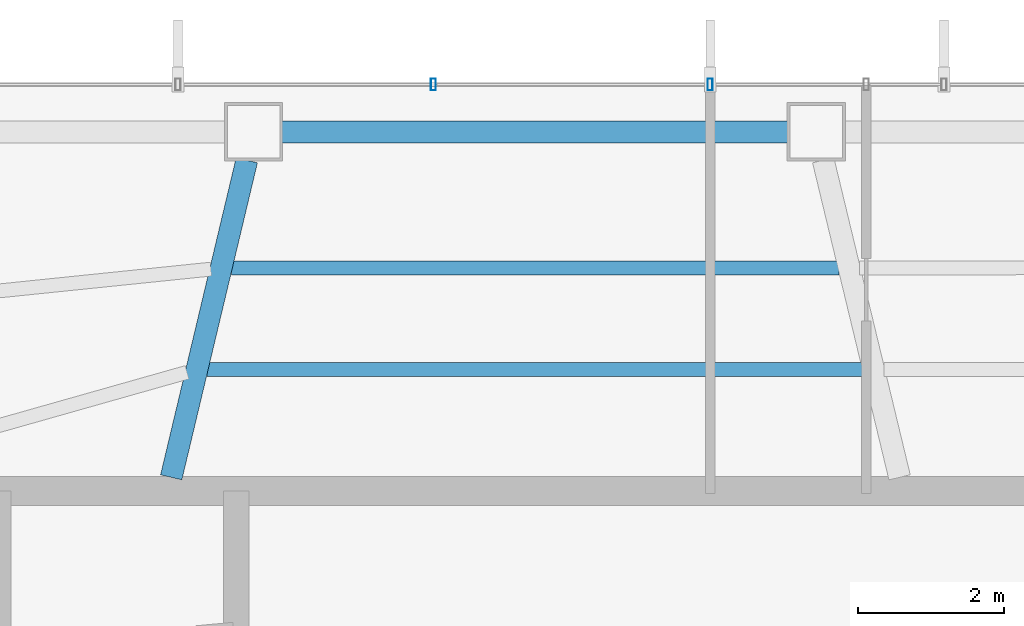
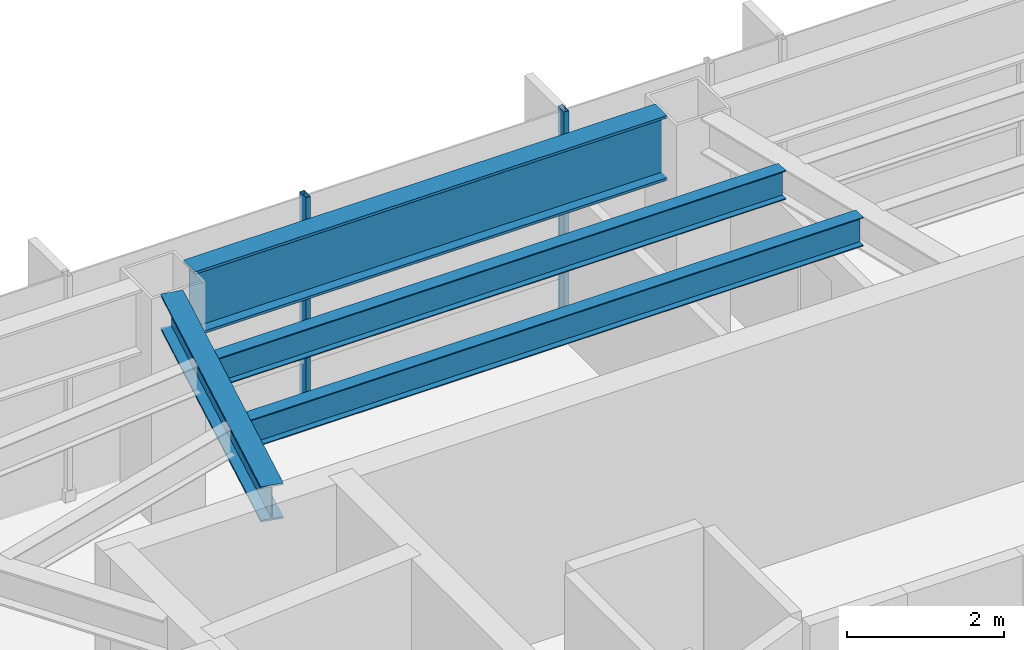
# One storey, part 14 of 28: 4 beams, 2 members, 1 element without a shape of its own.
"""IFC4 building model written with IfcOpenShell, lengths in metres."""

from ifc_helpers import new_model, si_unit, direction, frame, origin, origin_2d, place, context, subcontext, project, spatial, hollow_rectangle, i_section, extrude, material, layer, layer_set, material_profile, profile_set, type_object, element, aggregate, save


model = new_model("IFC4")

# Units and contexts
model_context = context("Model", 3, precision=1e-05, world=origin(), true_north=direction((0.0, 1.0)))
body_context = subcontext(model_context, "Body", "Model", "MODEL_VIEW")
ifc_project = project(units=[si_unit("LENGTHUNIT", "METRE"), si_unit("AREAUNIT", "SQUARE_METRE"), si_unit("VOLUMEUNIT", "CUBIC_METRE"), si_unit("PLANEANGLEUNIT", "RADIAN"), si_unit("MASSUNIT", "GRAM", prefix="KILO")], contexts=[model_context])

# Site, building, storey
site_placement = place(None, origin())
site = spatial("IfcSite", under=ifc_project, at=site_placement, CompositionType="ELEMENT")
building_placement = place(site_placement, origin())
building = spatial("IfcBuilding", under=site, at=building_placement, Name="Zarrinselat Tower", CompositionType="ELEMENT")
storey_placement = place(building_placement, frame((0.0, 0.0, 145.860107421875)))
storey = spatial("IfcBuildingStorey", under=building, at=storey_placement, Name="L35", CompositionType="ELEMENT", Elevation=145.860107421875)

# Beams
ifc_material_1 = material(Name="Steel S355J2", Category="steel")
ifc_material_profile_1 = material_profile(ifc_material_1, i_section(OverallWidth=0.300048828125, OverallDepth=0.550048828125, WebThickness=0.014892578125, FlangeThickness=0.029052734375, at=origin_2d()), Name="HEB 550")
ifc_profile_set_1 = profile_set([ifc_material_profile_1], Name="Steel S355J2")
beam_type_1 = type_object("IfcBeamType", Name="BM-HEB550", PredefinedType="BEAM", material=ifc_profile_set_1)
beam_1_placement = place(storey_placement, frame((31.0, 43.639892578125, 3.224853515625), z_axis=(0.231954927878, 0.972726534764, 0.0), x_axis=(-0.972726534764, 0.231954927878, 0.0)))
element("IfcBeam", 1, at=beam_1_placement, inside=storey, type_object=beam_type_1, Name="L35 Radial Primary Girder RG04", PredefinedType="BEAM", context=body_context, shape_type="SweptSolid", body=[
    extrude(i_section(OverallWidth=0.300048828125, OverallDepth=0.550048828125, WebThickness=0.014892578125, FlangeThickness=0.029052734375, at=origin_2d()), origin(), (0.0, 0.0, 1.0), 4.474365234375),
])
ifc_material_2 = material(Name="Steel S460M", Category="steel")
ifc_material_profile_2 = material_profile(ifc_material_2, i_section(OverallWidth=0.302001953125, OverallDepth=1.008056640625, WebThickness=0.02099609375, FlangeThickness=0.0400390625, at=origin_2d()), Name="HEM 1000")
ifc_profile_set_2 = profile_set([ifc_material_profile_2], Name="Steel S460M")
beam_type_2 = type_object("IfcBeamType", Name="BM-HEM1000", PredefinedType="BEAM", material=ifc_profile_set_2)
beam_2_placement = place(storey_placement, frame((32.51904296875, 48.38330078125, 2.995849609375), z_axis=(1.0, 0.0, 0.0), x_axis=(0.0, 1.0, 0.0)))
element("IfcBeam", 2, at=beam_2_placement, inside=storey, type_object=beam_type_2, Name="L35 Perimeter Spandrel Girder SP03", PredefinedType="BEAM", context=body_context, shape_type="SweptSolid", body=[
    extrude(i_section(OverallWidth=0.302001953125, OverallDepth=1.008056640625, WebThickness=0.02099609375, FlangeThickness=0.0400390625, at=origin_2d()), origin(), (0.0, 0.0, 1.0), 6.9501953125),
])
ifc_material_3 = material(Name="Steel S355J2", Category="steel")
ifc_material_profile_3 = material_profile(ifc_material_3, i_section(OverallWidth=0.18994140625, OverallDepth=0.449951171875, WebThickness=0.009521484375, FlangeThickness=0.0146484375, at=origin_2d()), Name="IPE 450")
ifc_profile_set_3 = profile_set([ifc_material_profile_3], Name="Steel S355J2")
beam_type_3 = type_object("IfcBeamType", Name="BM-IPE450", PredefinedType="JOIST", material=ifc_profile_set_3)
beam_3_placement = place(storey_placement, frame((31.824951171875, 46.512451171875, 3.27490234375), z_axis=(0.999999999572, 2.9262868e-05, 0.0), x_axis=(-2.9262868e-05, 0.999999999572, 0.0)))
element("IfcBeam", 3, at=beam_3_placement, inside=storey, type_object=beam_type_3, Name="L35 Composite Floor Joist 8-1", PredefinedType="JOIST", context=body_context, shape_type="SweptSolid", body=[
    extrude(i_section(OverallWidth=0.18994140625, OverallDepth=0.449951171875, WebThickness=0.009521484375, FlangeThickness=0.0146484375, at=origin_2d()), origin(), (0.0, 0.0, 1.0), 8.343017578125),
])
beam_4_placement = place(storey_placement, frame((31.492919921875, 45.119873046875, 3.27490234375), z_axis=(1.0, 0.0, 0.0), x_axis=(0.0, 1.0, 0.0)))
element("IfcBeam", 4, at=beam_4_placement, inside=storey, type_object=beam_type_3, Name="L35 Composite Floor Joist 8-2", PredefinedType="JOIST", context=body_context, shape_type="SweptSolid", body=[
    extrude(i_section(OverallWidth=0.18994140625, OverallDepth=0.449951171875, WebThickness=0.009521484375, FlangeThickness=0.0146484375, at=origin_2d()), origin(), (0.0, 0.0, 1.0), 9.010498046875),
])

# Curtain wall, members
ifc_material_4 = material(Name="Extruded Aluminium Alloy EN AW-6063 T6", Category="aluminium")
ifc_layer = layer(ifc_material_4, 0.175048828125)
ifc_layer_set = layer_set([ifc_layer], Name="Extruded Aluminium Alloy EN AW-6063 T6")
curtain_wall_type = type_object("IfcCurtainWallType", Name="CWS-HTL", PredefinedType="NOTDEFINED", material=ifc_layer_set)
curtain_wall_placement = place(storey_placement, origin())
curtain_wall = element("IfcCurtainWall", 5, at=curtain_wall_placement, inside=storey, type_object=curtain_wall_type, Name="L35 Unitised Curtain Wall CW-L35-E01", PredefinedType="NOTDEFINED")
ifc_material_5 = material(Name="Extruded Aluminium Alloy EN AW-6063 T6", Category="aluminium")
ifc_material_profile_4 = material_profile(ifc_material_5, hollow_rectangle(XDim=0.070068359375, YDim=0.159912109375, WallThickness=0.00390625, at=origin_2d()), Name="RHS 160x70x4")
ifc_profile_set_4 = profile_set([ifc_material_profile_4], Name="Extruded Aluminium Alloy EN AW-6063 T6")
member_type = type_object("IfcMemberType", Name="MEM-CW-MUL2", PredefinedType="MULLION", material=ifc_profile_set_4)
member_1_placement = place(storey_placement, frame((38.39990234375, 49.033203125, 0.0), z_axis=(0.0, 0.0, 1.0), x_axis=(-1.0, 0.0, 0.0)))
member_1 = element("IfcMember", 6, at=member_1_placement, type_object=member_type, Name="CW-L35-E01 Mullion 7", PredefinedType="MULLION", context=body_context, shape_type="SweptSolid", body=[
    extrude(hollow_rectangle(XDim=0.070068359375, YDim=0.159912109375, WallThickness=0.00390625, at=origin_2d()), origin(), (0.0, 0.0, 1.0), 3.5),
])
member_2_placement = place(storey_placement, frame((34.598876953125, 49.033203125, 0.0), z_axis=(0.0, 0.0, 1.0), x_axis=(-1.0, 0.0, 0.0)))
member_2 = element("IfcMember", 7, at=member_2_placement, type_object=member_type, Name="CW-L35-E01 Mullion 8", PredefinedType="MULLION", context=body_context, shape_type="SweptSolid", body=[
    extrude(hollow_rectangle(XDim=0.070068359375, YDim=0.159912109375, WallThickness=0.00390625, at=origin_2d()), origin(), (0.0, 0.0, 1.0), 3.5),
])
aggregate(curtain_wall, [member_1, member_2])

save(model, "model.ifc")
